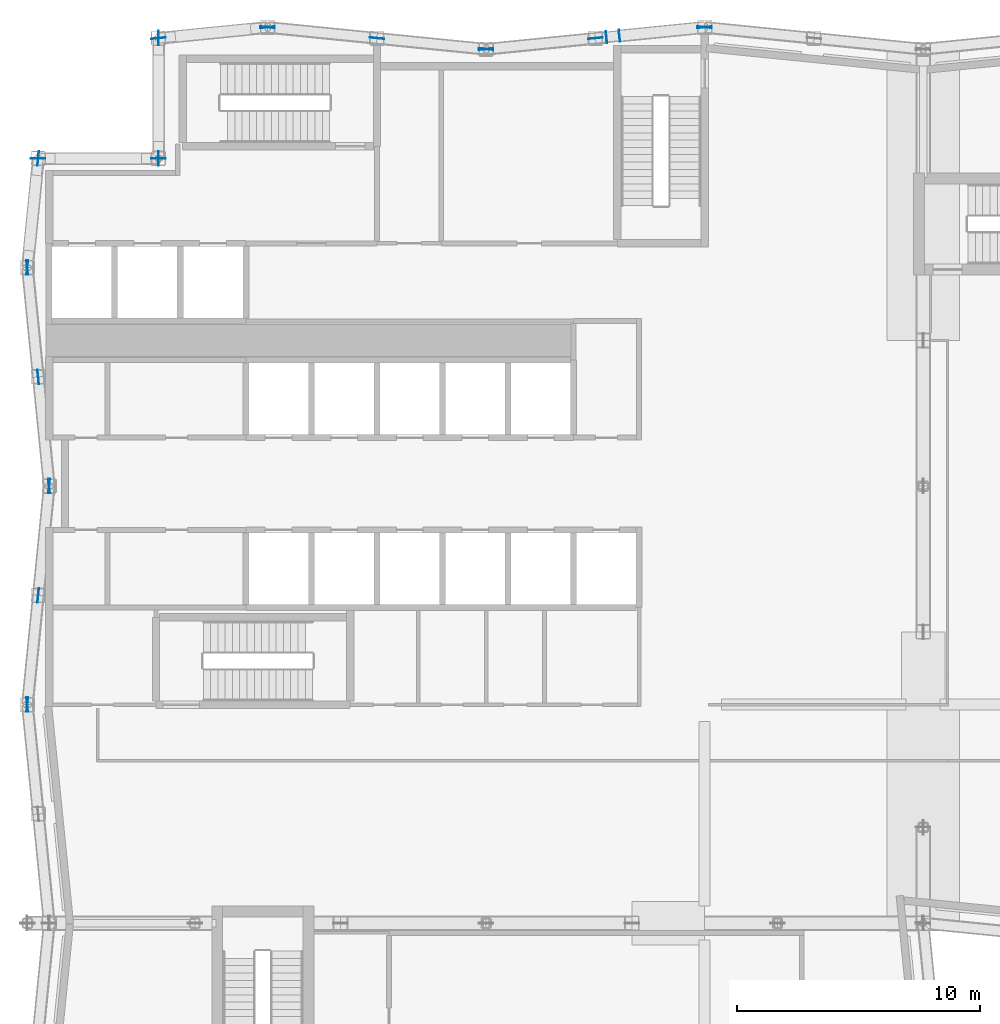
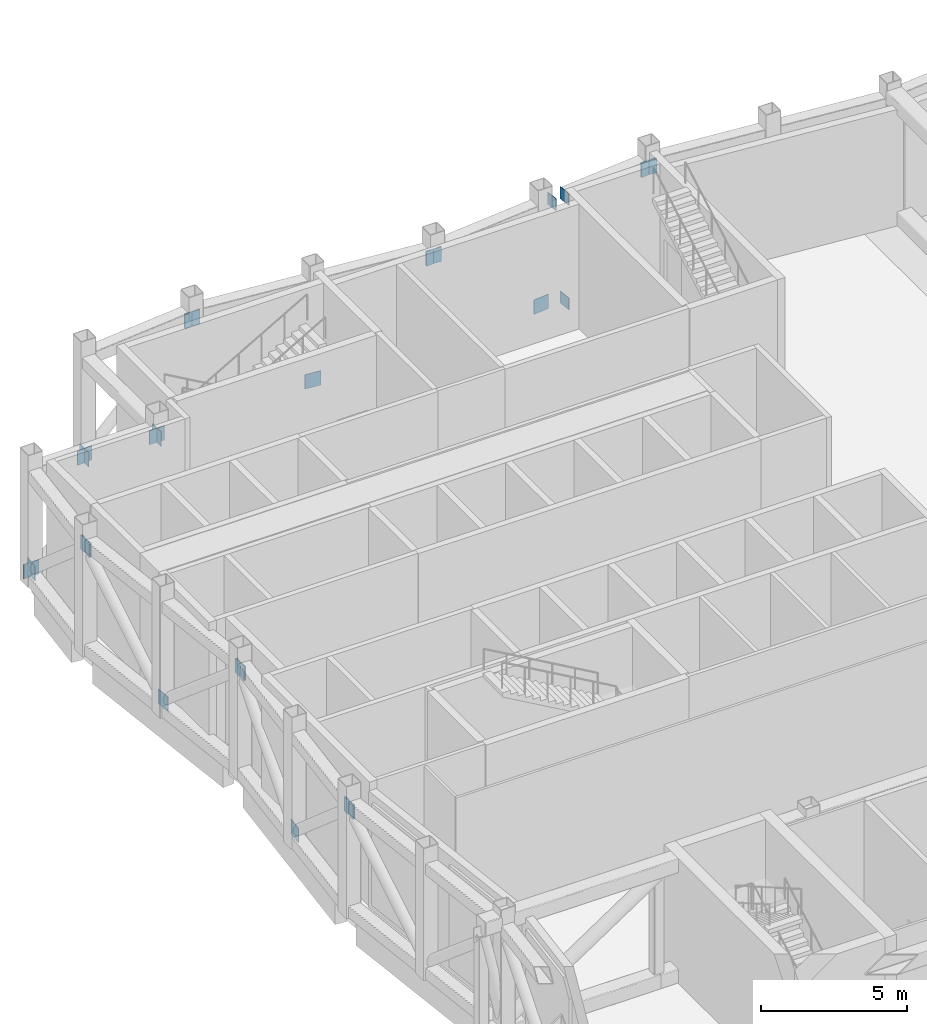
# One storey, part 16 of 22: 25 discrete accessories.
"""IFC4 building model written with IfcOpenShell, lengths in metres."""

import ifcopenshell
import ifcopenshell.guid

model = None  # the IFC model being written
_history = None  # IfcOwnerHistory: only IFC2X3 demands one
_inside = {}  # id of a spatial element -> (the spatial element, [elements in it])
_under = {}  # id of a project, library or spatial element -> (it, [spatial elements below it])
_declared = {}  # id of a project -> (the project, [libraries it declares])
_typed = {}  # id of a type object -> (the type object, [elements of that type])
_made_of = {}  # id of a material, layer set ... -> (it, [elements and type objects made of it])


def new_model(schema):
    """Start an empty IFC model of exactly this schema.

    Asked for "IFC4X3", IfcOpenShell would pick the latest addendum, in which some entities
    have other attributes; the version numbers below select the first issue.
    IFC2X3 requires an IfcOwnerHistory on every rooted entity: one is made here for all.
    """
    global model, _history
    if schema == "IFC4X3":
        model = ifcopenshell.file(schema_version=(4, 3, 0, 0))
    else:
        model = ifcopenshell.file(schema=schema)
    _inside.clear()
    _under.clear()
    _declared.clear()
    _typed.clear()
    _made_of.clear()
    _history = None
    if model.schema == "IFC2X3":
        org = make("IfcOrganization", Name="unknown")
        user = make(
            "IfcPersonAndOrganization",
            ThePerson=make("IfcPerson", FamilyName="unknown"),
            TheOrganization=org,
        )
        app = make(
            "IfcApplication",
            ApplicationDeveloper=org,
            Version="unknown",
            ApplicationFullName="unknown",
            ApplicationIdentifier="unknown",
        )
        _history = make(
            "IfcOwnerHistory",
            OwningUser=user,
            OwningApplication=app,
            ChangeAction="ADDED",
            CreationDate=0,
        )
    return model


def make(cls, **values):
    """One entity of the class cls with the attributes given. An attribute that is None is left unset."""
    return model.create_entity(
        cls, **{name: value for name, value in values.items() if value is not None}
    )


def rooted(cls, **values):
    """An entity with a GlobalId (a new one), such as an element, a storey or a relation."""
    return make(cls, GlobalId=ifcopenshell.guid.new(), OwnerHistory=_history, **values)


def si_unit(unit_type, name, prefix=None):
    """IfcSIUnit, for example si_unit("LENGTHUNIT", "METRE", prefix="MILLI")."""
    return make("IfcSIUnit", UnitType=unit_type, Prefix=prefix, Name=name)


def assignment(units):
    """IfcUnitAssignment: the units of a project."""
    return None if units is None else make("IfcUnitAssignment", Units=units)


def point(xyz):
    """IfcCartesianPoint."""
    return None if xyz is None else make("IfcCartesianPoint", Coordinates=xyz)


def direction(xyz):
    """IfcDirection."""
    return None if xyz is None else make("IfcDirection", DirectionRatios=xyz)


def frame(location, z_axis=None, x_axis=None):
    """IfcAxis2Placement3D, a coordinate frame: its origin and axes. An axis left out is left unset."""
    return make(
        "IfcAxis2Placement3D",
        Location=point(location),
        Axis=direction(z_axis),
        RefDirection=direction(x_axis),
    )


def frame_2d(location, x_axis=None):
    """IfcAxis2Placement2D, a coordinate frame in the plane: its origin and x axis."""
    return make(
        "IfcAxis2Placement2D", Location=point(location), RefDirection=direction(x_axis)
    )


def origin():
    """The frame at (0, 0, 0) with its axes left unset."""
    return frame((0.0, 0.0, 0.0))


def origin_2d():
    """The frame at (0, 0) in the plane with its x axis left unset."""
    return frame_2d((0.0, 0.0))


def place(relative_to, where):
    """IfcLocalPlacement: puts the frame where relative to a parent placement (None: the world)."""
    return make(
        "IfcLocalPlacement", PlacementRelTo=relative_to, RelativePlacement=where
    )


def context(
    kind, dimensions, precision=None, world=None, true_north=None, identifier=None
):
    """IfcGeometricRepresentationContext, for example the 3D "Model" context."""
    return make(
        "IfcGeometricRepresentationContext",
        ContextIdentifier=identifier,
        ContextType=kind,
        CoordinateSpaceDimension=dimensions,
        Precision=precision,
        WorldCoordinateSystem=world,
        TrueNorth=true_north,
    )


def subcontext(parent, identifier, kind, view, scale=None):
    """IfcGeometricRepresentationSubContext, for example "Body" below "Model"."""
    return make(
        "IfcGeometricRepresentationSubContext",
        ContextIdentifier=identifier,
        ContextType=kind,
        ParentContext=parent,
        TargetScale=scale,
        TargetView=view,
    )


def project(units=None, contexts=None):
    """IfcProject with its units and contexts."""
    return rooted(
        "IfcProject",
        Name="project",
        RepresentationContexts=contexts,
        UnitsInContext=assignment(units),
    )


def spatial(cls, under=None, at=None, **own):
    """A site, building, storey or space (cls), placed at a placement, below another one or the project."""
    s = rooted(cls, ObjectPlacement=at, **own)
    if under is not None:
        _under.setdefault(under.id(), (under, []))[1].append(s)
    return s


def profile(cls, at=None, kind="AREA", **sizes):
    """A parametric profile (cls). Its sizes go by their IFC names, for example OverallWidth=200.0."""
    return make(cls, ProfileType=kind, Position=at, **sizes)


def rectangle(**sizes):
    """IfcRectangleProfileDef."""
    return profile("IfcRectangleProfileDef", **sizes)


def extrude(swept, where, along, depth):
    """IfcExtrudedAreaSolid: the profile swept, set in the frame where, extruded along a direction by depth."""
    return make(
        "IfcExtrudedAreaSolid",
        SweptArea=swept,
        Position=where,
        ExtrudedDirection=direction(along),
        Depth=depth,
    )


def shape(context_of_items, identifier, shape_type, items):
    """IfcShapeRepresentation: the items that make up one representation, for example the "Body"."""
    return make(
        "IfcShapeRepresentation",
        ContextOfItems=context_of_items,
        RepresentationIdentifier=identifier,
        RepresentationType=shape_type,
        Items=items,
    )


def material(Name=None, Category=None):
    """IfcMaterial."""
    return make("IfcMaterial", Name=Name, Category=Category)


def layer(
    of_material, thickness, ventilated=None, Name=None, Category=None, Priority=None
):
    """IfcMaterialLayer: one layer of a wall or slab, of a material (None: an air gap)."""
    return make(
        "IfcMaterialLayer",
        Material=of_material,
        LayerThickness=thickness,
        IsVentilated=ventilated,
        Name=Name,
        Category=Category,
        Priority=Priority,
    )


def layer_set(layers, Name=None):
    """IfcMaterialLayerSet."""
    return make("IfcMaterialLayerSet", MaterialLayers=layers, LayerSetName=Name)


def made_of(thing, what):
    """Note that an element or type object is made of a material, layer set ...; save() writes the relation."""
    if what is not None:
        _made_of.setdefault(what.id(), (what, []))[1].append(thing)
    return thing


def type_object(cls, material=None, **own):
    """A type object (cls), such as IfcWallType, which elements share."""
    return made_of(rooted(cls, **own), material)


def element(
    cls,
    number,
    at=None,
    inside=None,
    cuts=None,
    type_object=None,
    material=None,
    context=None,
    identifier="Body",
    shape_type=None,
    held_by="IfcProductDefinitionShape",
    body=None,
    shapes=None,
    **own,
):
    """One element of the class cls, such as IfcWall. Its Tag is "e" and its number.

    at: its placement. inside: the storey or other place that contains it. cuts: it is an
    opening in that element (IfcRelVoidsElement). A single representation is given by context,
    identifier, shape_type and body (its items); several are given by shapes. held_by: the class
    of the entity that holds the representations. save() writes the other relations.
    """
    e = rooted(cls, Tag="e%d" % number, ObjectPlacement=at, **own)
    if body is not None:
        shapes = [shape(context, identifier, shape_type, body)]
    if shapes is not None:
        e.Representation = make(held_by, Representations=shapes)
    if inside is not None:
        _inside.setdefault(inside.id(), (inside, []))[1].append(e)
    if cuts is not None:
        rooted(
            "IfcRelVoidsElement", RelatingBuildingElement=cuts, RelatedOpeningElement=e
        )
    if type_object is not None:
        _typed.setdefault(type_object.id(), (type_object, []))[1].append(e)
    return made_of(e, material)


def aggregate(whole, parts):
    """IfcRelAggregates: a whole, such as a stair, and the parts it consists of."""
    return rooted("IfcRelAggregates", RelatingObject=whole, RelatedObjects=parts)


def save(model, path):
    """Write the relations noted so far, then the file.

    IfcRelAggregates (storeys below a building ...), IfcRelContainedInSpatialStructure (elements
    in a storey), IfcRelDefinesByType, IfcRelAssociatesMaterial and IfcRelDeclares: one each for
    every whole, place, type object, material and project.
    """
    for whole, parts in _under.values():
        aggregate(whole, parts)
    for where, things in _inside.values():
        rooted(
            "IfcRelContainedInSpatialStructure",
            RelatedElements=things,
            RelatingStructure=where,
        )
    for kind, things in _typed.values():
        rooted("IfcRelDefinesByType", RelatedObjects=things, RelatingType=kind)
    for what, things in _made_of.values():
        rooted("IfcRelAssociatesMaterial", RelatedObjects=things, RelatingMaterial=what)
    for by, libraries in _declared.values():
        rooted("IfcRelDeclares", RelatingContext=by, RelatedDefinitions=libraries)
    model.write(path)


model = new_model("IFC4")

# Units and contexts
model_context = context("Model", 3, precision=1e-05, world=origin(), true_north=direction((0.0, 1.0)))
body_context = subcontext(model_context, "Body", "Model", "MODEL_VIEW")
ifc_project = project(units=[si_unit("LENGTHUNIT", "METRE"), si_unit("AREAUNIT", "SQUARE_METRE"), si_unit("VOLUMEUNIT", "CUBIC_METRE"), si_unit("PLANEANGLEUNIT", "RADIAN"), si_unit("MASSUNIT", "GRAM", prefix="KILO")], contexts=[model_context])

# Site, building, storey
site_placement = place(None, origin())
site = spatial("IfcSite", under=ifc_project, at=site_placement, CompositionType="ELEMENT")
building_placement = place(site_placement, origin())
building = spatial("IfcBuilding", under=site, at=building_placement, Name="Brondeck Convention Tower", CompositionType="ELEMENT")
storey_placement = place(building_placement, frame((0.0, 0.0, 32.0)))
storey = spatial("IfcBuildingStorey", under=building, at=storey_placement, Name="L05", CompositionType="ELEMENT", Elevation=32.0)

# Discrete accessories
ifc_material = material(Name="Steel S460", Category="steel")
ifc_layer_1 = layer(ifc_material, 0.02490234375)
ifc_layer_set_1 = layer_set([ifc_layer_1], Name="End plate 500x500x25 Steel S460")
discrete_accessory_type_1 = type_object("IfcDiscreteAccessoryType", Name="End plate 500x500x25 Steel S460", PredefinedType="BRACKET", material=ifc_layer_set_1)
for number, where, z_axis, x_axis, name in (
    (1, (23.489501953125, 63.549072265625, 0.0), (0.0, 0.0, 1.0), (0.099510784867, -0.9950364836, 0.0), "End plate EP-1"),
    (2, (23.489501953125, 63.549072265625, 4.35009765625), (0.0, 0.0, 1.0), (0.099510784867, -0.9950364836, 0.0), "End plate EP-2"),
    (3, (22.953125, 63.495361328125, 4.35009765625), (0.0, 0.0, 1.0), (-0.099510784867, 0.9950364836, 0.0), "End plate EP-3"),
):
    element("IfcDiscreteAccessory", number, at=place(storey_placement, frame(where, z_axis=z_axis, x_axis=x_axis)), inside=storey, type_object=discrete_accessory_type_1, Name=name, PredefinedType="BRACKET", context=body_context, shape_type="SweptSolid", body=[
        extrude(rectangle(XDim=0.5, YDim=0.02490234375, at=origin_2d()), origin(), (0.0, 0.0, 1.0), 0.5),
    ])
ifc_layer_2 = layer(ifc_material, 0.02490234375)
ifc_layer_set_2 = layer_set([ifc_layer_2], Name="Gusset plate 600x600x25 Steel S460")
discrete_accessory_type_2 = type_object("IfcDiscreteAccessoryType", Name="Gusset plate 600x600x25 Steel S460", PredefinedType="BRACKET", material=ifc_layer_set_2)
for number, where, z_axis, x_axis, name in (
    (4, (27.0, 63.89990234375, 4.050048828125), (0.0, 0.0, 1.0), (-0.9950364836, 0.099510784867, 0.0), "Gusset plate GP-53"),
    (5, (27.0, 63.89990234375, 4.050048828125), (0.0, 0.0, 1.0), (0.9950364836, 0.099510784867, 0.0), "Gusset plate GP-54"),
    (6, (22.5, 63.449951171875, 0.199951171875), (0.0, 0.0, 1.0), (0.9950364836, 0.099510784867, 0.0), "Gusset plate GP-55"),
    (7, (18.0, 63.0, 4.050048828125), (0.0, 0.0, 1.0), (0.9950364836, 0.099510784867, 0.0), "Gusset plate GP-56"),
    (8, (18.0, 63.0, 4.050048828125), (0.0, 0.0, 1.0), (-0.9950364836, 0.099510784867, 0.0), "Gusset plate GP-57"),
    (9, (13.5, 63.449951171875, 0.199951171875), (0.0, 0.0, 1.0), (-0.9950364836, 0.099510784867, 0.0), "Gusset plate GP-58"),
    (10, (9.0, 63.89990234375, 4.050048828125), (0.0, 0.0, 1.0), (-0.9950364836, 0.099510784867, 0.0), "Gusset plate GP-59"),
    (11, (9.0, 63.89990234375, 4.050048828125), (0.0, 0.0, 1.0), (0.9950364836, 0.099510784867, 0.0), "Gusset plate GP-60"),
    (12, (4.5, 63.449951171875, 0.199951171875), (0.0, 0.0, 1.0), (0.9950364836, 0.099510784867, 0.0), "Gusset plate GP-61"),
    (13, (4.5, 63.449951171875, 0.199951171875), (0.0, 0.0, 1.0), (0.0, 1.0, 0.0), "Gusset plate GP-62"),
    (14, (4.5, 58.5, 4.050048828125), (0.0, 0.0, 1.0), (0.0, 1.0, 0.0), "Gusset plate GP-63"),
    (15, (4.5, 58.5, 4.050048828125), (0.0, 0.0, 1.0), (1.0, 0.0, 0.0), "Gusset plate GP-64"),
    (16, (-0.449951171875, 58.5, 0.199951171875), (0.0, 0.0, 1.0), (1.0, 0.0, 0.0), "Gusset plate GP-65"),
    (17, (-0.449951171875, 58.5, 0.199951171875), (0.0, 0.0, 1.0), (0.099510784867, 0.9950364836, 0.0), "Gusset plate GP-66"),
    (18, (-0.89990234375, 54.0, 4.050048828125), (0.0, 0.0, 1.0), (0.099510784867, 0.9950364836, 0.0), "Gusset plate GP-67"),
    (19, (-0.89990234375, 54.0, 4.050048828125), (0.0, 0.0, 1.0), (-0.099510784867, 0.9950364836, 0.0), "Gusset plate GP-68"),
    (20, (-0.449951171875, 49.5, 0.199951171875), (0.0, 0.0, 1.0), (-0.099510784867, 0.9950364836, 0.0), "Gusset plate GP-69"),
    (21, (0.0, 45.0, 4.050048828125), (0.0, 0.0, 1.0), (-0.099510784867, 0.9950364836, 0.0), "Gusset plate GP-70"),
    (22, (0.0, 45.0, 4.050048828125), (0.0, 0.0, 1.0), (0.099510784867, 0.9950364836, 0.0), "Gusset plate GP-71"),
    (23, (-0.449951171875, 40.5, 0.199951171875), (0.0, 0.0, 1.0), (0.099510784867, 0.9950364836, 0.0), "Gusset plate GP-72"),
    (24, (-0.89990234375, 36.0, 4.050048828125), (0.0, 0.0, 1.0), (0.099510784867, 0.9950364836, 0.0), "Gusset plate GP-73"),
    (25, (-0.89990234375, 36.0, 4.050048828125), (0.0, 0.0, 1.0), (-0.099510784867, 0.9950364836, 0.0), "Gusset plate GP-74"),
):
    element("IfcDiscreteAccessory", number, at=place(storey_placement, frame(where, z_axis=z_axis, x_axis=x_axis)), inside=storey, type_object=discrete_accessory_type_2, Name=name, PredefinedType="BRACKET", context=body_context, shape_type="SweptSolid", body=[
        extrude(rectangle(XDim=0.60009765625, YDim=0.02490234375, at=origin_2d()), origin(), (0.0, 0.0, 1.0), 0.60009765625),
    ])

save(model, "model.ifc")
